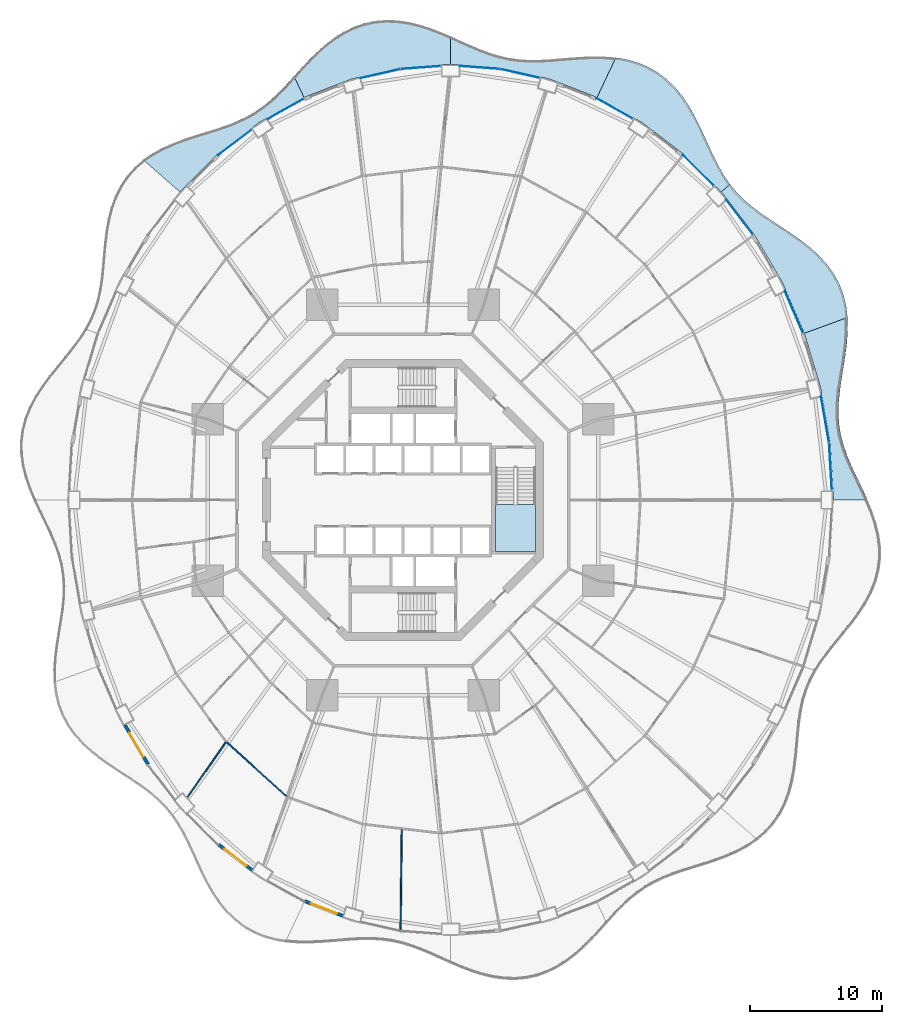
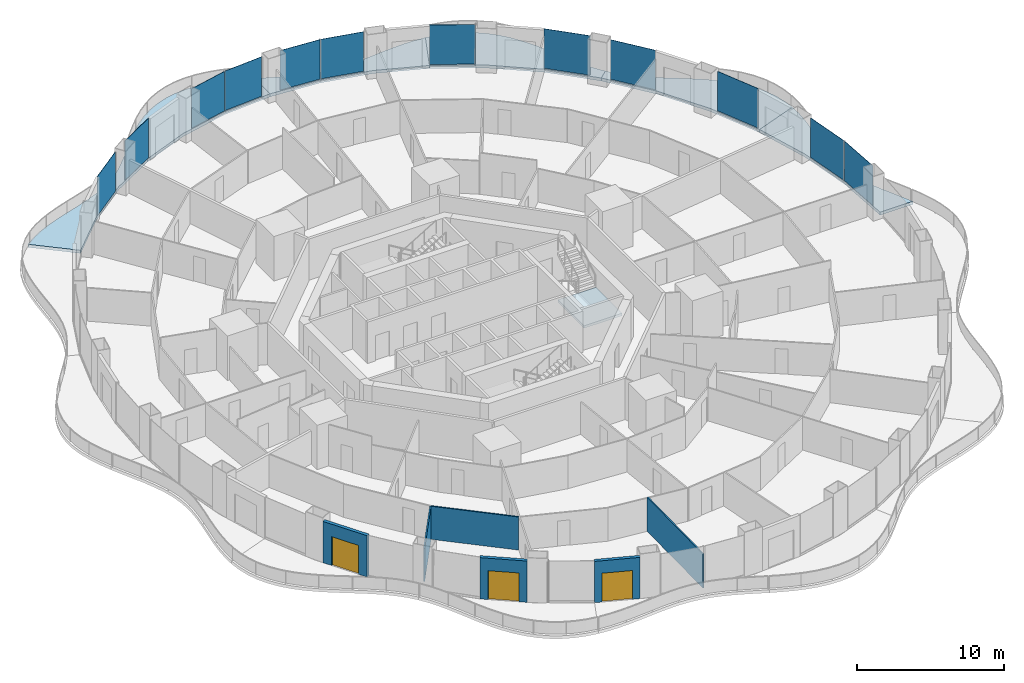
# One storey, part 12 of 21: 12 plates, 7 slabs, 6 walls, 3 doors, 3 openings, 13 elements without a shape of their own.
"""IFC4 building model written with IfcOpenShell, lengths in metres."""

from ifc_helpers import new_model, si_unit, direction, frame, frame_2d, origin, origin_2d, place, context, subcontext, project, spatial, polyline, rectangle, outline, extrude, material, layer, layer_set, type_object, element, fill, aggregate, save


model = new_model("IFC4")

# Units and contexts
model_context = context("Model", 3, precision=1e-05, world=origin(), true_north=direction((0.0, 1.0)))
body_context = subcontext(model_context, "Body", "Model", "MODEL_VIEW")
ifc_project = project(units=[si_unit("LENGTHUNIT", "METRE"), si_unit("AREAUNIT", "SQUARE_METRE"), si_unit("VOLUMEUNIT", "CUBIC_METRE"), si_unit("PLANEANGLEUNIT", "RADIAN"), si_unit("MASSUNIT", "GRAM", prefix="KILO")], contexts=[model_context])

# Site, building, storey
site_placement = place(None, origin())
site = spatial("IfcSite", under=ifc_project, at=site_placement, CompositionType="ELEMENT")
building_placement = place(site_placement, origin())
building = spatial("IfcBuilding", under=site, at=building_placement, Name="Nagisa Residences", CompositionType="ELEMENT")
storey_placement = place(building_placement, frame((0.0, 0.0, 60.300048828125)))
storey = spatial("IfcBuildingStorey", under=building, at=storey_placement, Name="L14", CompositionType="ELEMENT", Elevation=60.300048828125)

# Slabs
ifc_material_1 = material(Name="Concrete C40/50", Category="concrete")
ifc_layer_1 = layer(ifc_material_1, 0.25)
ifc_layer_set_1 = layer_set([ifc_layer_1], Name="BALCONY SLAB 250")
slab_type_1 = type_object("IfcSlabType", Name="BALCONY SLAB 250", PredefinedType="FLOOR", material=ifc_layer_set_1)
slab_1_placement = place(storey_placement, frame((0.0, 0.0, -0.25)))
element("IfcSlab", 1, at=slab_1_placement, inside=storey, type_object=slab_type_1, Name="slab:L14:bal00", PredefinedType="FLOOR", context=body_context, shape_type="SweptSolid", body=[
    extrude(outline(polyline([(35.1845703125, 0.0), (34.78759765625, 0.852294921875), (34.382568359375, 1.688232421875), (33.995849609375, 2.50927734375), (33.650390625, 3.319580078125), (33.365234375, 4.124755859375), (33.15380859375, 4.9306640625), (33.023193359375, 5.744384765625), (32.9736328125, 6.572021484375), (32.998291015625, 7.41845703125), (33.08447265625, 8.28662109375), (33.21337890625, 9.177734375), (33.362548828125, 10.08935546875), (33.507080078125, 11.017333984375), (33.62109375, 11.95458984375), (33.680419921875, 12.89208984375), (33.662841796875, 13.819091796875), (30.392578125, 12.628662109375), (31.61181640625, 8.541015625), (32.351806640625, 4.307373046875), (32.60009765625, 0.0), (35.1845703125, 0.0)])), origin(), (0.0, 0.0, 1.0), 0.25),
])
slab_2_placement = place(storey_placement, frame((0.0, 0.0, -0.25)))
element("IfcSlab", 2, at=slab_2_placement, inside=storey, type_object=slab_type_1, Name="slab:L14:bal01", PredefinedType="FLOOR", context=body_context, shape_type="SweptSolid", body=[
    extrude(outline(polyline([(33.662841796875, 13.819091796875), (33.556640625, 14.697021484375), (33.351318359375, 15.544677734375), (33.04150390625, 16.353515625), (32.627685546875, 17.11669921875), (32.1162109375, 17.829345703125), (31.518310546875, 18.490234375), (30.849609375, 19.10107421875), (30.12939453125, 19.666748046875), (29.3779296875, 20.19580078125), (28.616943359375, 20.698974609375), (27.866455078125, 21.189208984375), (27.144287109375, 21.679931640625), (26.465087890625, 22.185546875), (25.8388671875, 22.71875), (25.2705078125, 23.290771484375), (24.759765625, 23.9091796875), (24.106201171875, 23.33447265625), (26.607177734375, 20.089111328125), (28.71484375, 16.5), (30.392578125, 12.628662109375), (33.662841796875, 13.819091796875)])), origin(), (0.0, 0.0, 1.0), 0.25),
])
slab_3_placement = place(storey_placement, frame((0.0, 0.0, -0.25)))
element("IfcSlab", 3, at=slab_3_placement, inside=storey, type_object=slab_type_1, Name="slab:L14:bal02", PredefinedType="FLOOR", context=body_context, shape_type="SweptSolid", body=[
    extrude(outline(polyline([(24.759765625, 23.9091796875), (24.322509765625, 24.545654296875), (23.9248046875, 25.228271484375), (23.555419921875, 25.953369140625), (23.201171875, 26.71337890625), (22.84716796875, 27.4970703125), (22.478515625, 28.291259765625), (22.080810546875, 29.079833984375), (21.641845703125, 29.845703125), (21.151123046875, 30.571533203125), (20.602294921875, 31.240966796875), (19.9912109375, 31.83935546875), (19.318359375, 32.355224609375), (18.5869140625, 32.780517578125), (17.80322265625, 33.11181640625), (16.976806640625, 33.349853515625), (16.11767578125, 33.500244140625), (14.69775390625, 30.488037109375), (18.10009765625, 28.578857421875), (21.254150390625, 26.1806640625), (24.106201171875, 23.33447265625), (24.759765625, 23.9091796875)])), origin(), (0.0, 0.0, 1.0), 0.25),
])
slab_4_placement = place(storey_placement, frame((0.0, 0.0, -0.25)))
element("IfcSlab", 4, at=slab_4_placement, inside=storey, type_object=slab_type_1, Name="slab:L14:bal03", PredefinedType="FLOOR", context=body_context, shape_type="SweptSolid", body=[
    extrude(outline(polyline([(16.11767578125, 33.500244140625), (15.269775390625, 33.572021484375), (14.412841796875, 33.584228515625), (13.556640625, 33.55224609375), (12.709228515625, 33.49267578125), (11.87744140625, 33.423095703125), (11.065673828125, 33.361572265625), (10.275634765625, 33.32373046875), (9.50732421875, 33.32373046875), (8.758056640625, 33.37255859375), (8.02392578125, 33.47705078125), (7.298828125, 33.6396484375), (6.576904296875, 33.858642578125), (5.851318359375, 34.1279296875), (5.116455078125, 34.436767578125), (4.366943359375, 34.771484375), (3.60009765625, 35.115234375), (3.60009765625, 33.0), (7.38525390625, 32.7177734375), (11.105712890625, 31.87548828125), (14.69775390625, 30.488037109375), (16.11767578125, 33.500244140625)])), origin(), (0.0, 0.0, 1.0), 0.25),
])
slab_5_placement = place(storey_placement, frame((0.0, 0.0, -0.25)))
element("IfcSlab", 5, at=slab_5_placement, inside=storey, type_object=slab_type_1, Name="slab:L14:bal04", PredefinedType="FLOOR", context=body_context, shape_type="SweptSolid", body=[
    extrude(outline(polyline([(3.60009765625, 35.115234375), (2.81396484375, 35.44970703125), (2.00927734375, 35.755615234375), (1.189208984375, 36.014404296875), (0.35791015625, 36.20849609375), (-0.47802734375, 36.32373046875), (-1.311767578125, 36.3486328125), (-2.134765625, 36.275634765625), (-2.939697265625, 36.1025390625), (-3.719482421875, 35.83056640625), (-4.468017578125, 35.4658203125), (-5.181884765625, 35.018798828125), (-5.859130859375, 34.5029296875), (-6.50048828125, 33.933837890625), (-7.10888671875, 33.32958984375), (-7.6904296875, 32.70849609375), (-8.251953125, 32.087890625), (-7.497802734375, 30.488037109375), (-3.90576171875, 31.87548828125), (-0.185302734375, 32.7177734375), (3.60009765625, 33.0), (3.60009765625, 35.115234375)])), origin(), (0.0, 0.0, 1.0), 0.25),
])
slab_6_placement = place(storey_placement, frame((0.0, 0.0, -0.25)))
element("IfcSlab", 6, at=slab_6_placement, inside=storey, type_object=slab_type_1, Name="slab:L14:bal05", PredefinedType="FLOOR", context=body_context, shape_type="SweptSolid", body=[
    extrude(outline(polyline([(-8.251953125, 32.087890625), (-8.8232421875, 31.462158203125), (-9.393798828125, 30.870361328125), (-9.974609375, 30.323974609375), (-10.576171875, 29.83056640625), (-11.207275390625, 29.393798828125), (-11.874267578125, 29.011962890625), (-12.58056640625, 28.678955078125), (-13.325927734375, 28.3857421875), (-14.107421875, 28.11962890625), (-14.91748046875, 27.86572265625), (-15.746337890625, 27.608154296875), (-16.58056640625, 27.331298828125), (-17.40576171875, 27.020263671875), (-18.2060546875, 26.66162109375), (-18.966064453125, 26.24560546875), (-19.671142578125, 25.764404296875), (-16.906005859375, 23.33447265625), (-14.05419921875, 26.1806640625), (-10.89990234375, 28.578857421875), (-7.497802734375, 30.488037109375), (-8.251953125, 32.087890625)])), origin(), (0.0, 0.0, 1.0), 0.25),
])

# Curtain wall, plate
ifc_material_2 = material(Name="Concrete-coloured aluminium curtain wall system", Category="concrete")
ifc_layer_2 = layer(ifc_material_2, 0.159912109375)
ifc_layer_set_2 = layer_set([ifc_layer_2], Name="CW1 CURTAIN WALL")
curtain_wall_type = type_object("IfcCurtainWallType", Name="CW1 CURTAIN WALL", PredefinedType="NOTDEFINED", material=ifc_layer_set_2)
curtain_wall_1_placement = place(storey_placement, origin())
curtain_wall_1 = element("IfcCurtainWall", 7, at=curtain_wall_1_placement, inside=storey, type_object=curtain_wall_type, Name="cw:CW1:L14:00", PredefinedType="NOTDEFINED")
ifc_material_3 = material(Name="Clear laminated glass", Category="glass")
ifc_layer_3 = layer(ifc_material_3, 0.028076171875)
ifc_layer_set_3 = layer_set([ifc_layer_3], Name="CW1 GLASS PANEL")
plate_type = type_object("IfcPlateType", Name="CW1 GLASS PANEL", PredefinedType="CURTAIN_PANEL", material=ifc_layer_set_3)
plate_1_placement = place(storey_placement, frame((32.374267578125, 2.528564453125, 0.14990234375), z_axis=(0.0, 0.0, 1.0), x_axis=(-0.057503492216, 0.998345305184, 0.0)))
plate_1 = element("IfcPlate", 8, at=plate_1_placement, type_object=plate_type, Name="CW1 panel", PredefinedType="CURTAIN_PANEL", context=body_context, shape_type="SweptSolid", body=[
    extrude(rectangle(XDim=3.554443359375, YDim=0.028076171875, at=origin_2d()), origin(), (0.0, 0.0, 1.0), 3.2900390625),
])
aggregate(curtain_wall_1, [plate_1])

curtain_wall_2_placement = place(storey_placement, origin())
curtain_wall_2 = element("IfcCurtainWall", 9, at=curtain_wall_2_placement, inside=storey, type_object=curtain_wall_type, Name="cw:CW1:L14:01", PredefinedType="NOTDEFINED")
plate_2_placement = place(storey_placement, frame((31.958251953125, 6.09521484375, 0.14990234375), z_axis=(0.0, 0.0, 1.0), x_axis=(-0.172190868898, 0.985063604377, 0.0)))
plate_2 = element("IfcPlate", 10, at=plate_2_placement, type_object=plate_type, Name="CW1 panel", PredefinedType="CURTAIN_PANEL", context=body_context, shape_type="SweptSolid", body=[
    extrude(rectangle(XDim=3.537841796875, YDim=0.028076171875, at=origin_2d()), origin(), (0.0, 0.0, 1.0), 3.2900390625),
])
aggregate(curtain_wall_2, [plate_2])

curtain_wall_3_placement = place(storey_placement, origin())
curtain_wall_3 = element("IfcCurtainWall", 11, at=curtain_wall_3_placement, inside=storey, type_object=curtain_wall_type, Name="cw:CW1:L14:03", PredefinedType="NOTDEFINED")
plate_3_placement = place(storey_placement, frame((29.607421875, 14.23876953125, 0.14990234375), z_axis=(0.0, 0.0, 1.0), x_axis=(-0.397635934147, 0.917543276295, 0.0)))
plate_3 = element("IfcPlate", 12, at=plate_3_placement, type_object=plate_type, Name="CW1 panel", PredefinedType="CURTAIN_PANEL", context=body_context, shape_type="SweptSolid", body=[
    extrude(rectangle(XDim=3.45947265625, YDim=0.028076171875, at=origin_2d()), origin(), (0.0, 0.0, 1.0), 3.2900390625),
])
aggregate(curtain_wall_3, [plate_3])

curtain_wall_4_placement = place(storey_placement, origin())
curtain_wall_4 = element("IfcCurtainWall", 13, at=curtain_wall_4_placement, inside=storey, type_object=curtain_wall_type, Name="cw:CW1:L14:05", PredefinedType="NOTDEFINED")
plate_4_placement = place(storey_placement, frame((25.488525390625, 21.409423828125, 0.14990234375), z_axis=(0.0, 0.0, 1.0), x_axis=(-0.610429828235, 0.792070340816, 0.0)))
plate_4 = element("IfcPlate", 14, at=plate_4_placement, type_object=plate_type, Name="CW1 panel", PredefinedType="CURTAIN_PANEL", context=body_context, shape_type="SweptSolid", body=[
    extrude(rectangle(XDim=3.33740234375, YDim=0.028076171875, at=origin_2d()), origin(), (0.0, 0.0, 1.0), 3.2900390625),
])
aggregate(curtain_wall_4, [plate_4])

curtain_wall_5_placement = place(storey_placement, origin())
curtain_wall_5 = element("IfcCurtainWall", 15, at=curtain_wall_5_placement, inside=storey, type_object=curtain_wall_type, Name="cw:CW1:L14:06", PredefinedType="NOTDEFINED")
plate_5_placement = place(storey_placement, frame((22.3544921875, 24.969482421875, 0.14990234375), z_axis=(0.0, 0.0, 1.0), x_axis=(-0.707835924016, 0.706376885714, 0.0)))
plate_5 = element("IfcPlate", 16, at=plate_5_placement, type_object=plate_type, Name="CW1 panel", PredefinedType="CURTAIN_PANEL", context=body_context, shape_type="SweptSolid", body=[
    extrude(rectangle(XDim=3.269287109375, YDim=0.028076171875, at=origin_2d()), origin(), (0.0, 0.0, 1.0), 3.2900390625),
])
aggregate(curtain_wall_5, [plate_5])

curtain_wall_6_placement = place(storey_placement, origin())
curtain_wall_6 = element("IfcCurtainWall", 17, at=curtain_wall_6_placement, inside=storey, type_object=curtain_wall_type, Name="cw:CW1:L14:08", PredefinedType="NOTDEFINED")
plate_6_placement = place(storey_placement, frame((16.0283203125, 29.649658203125, 0.14990234375), z_axis=(0.0, 0.0, 1.0), x_axis=(-0.872072377523, 0.489376918501, 0.0)))
plate_6 = element("IfcPlate", 18, at=plate_6_placement, type_object=plate_type, Name="CW1 panel", PredefinedType="CURTAIN_PANEL", context=body_context, shape_type="SweptSolid", body=[
    extrude(rectangle(XDim=3.141357421875, YDim=0.028076171875, at=origin_2d()), origin(), (0.0, 0.0, 1.0), 3.2900390625),
])
aggregate(curtain_wall_6, [plate_6])

curtain_wall_7_placement = place(storey_placement, origin())
curtain_wall_7 = element("IfcCurtainWall", 19, at=curtain_wall_7_placement, inside=storey, type_object=curtain_wall_type, Name="cw:CW1:L14:10", PredefinedType="NOTDEFINED")
plate_7_placement = place(storey_placement, frame((8.857177734375, 32.302490234375, 0.14990234375), z_axis=(0.0, 0.0, 1.0), x_axis=(-0.975327274089, 0.2207639201, 0.0)))
plate_7 = element("IfcPlate", 20, at=plate_7_placement, type_object=plate_type, Name="CW1 panel", PredefinedType="CURTAIN_PANEL", context=body_context, shape_type="SweptSolid", body=[
    extrude(rectangle(XDim=3.0546875, YDim=0.028076171875, at=origin_2d()), origin(), (0.0, 0.0, 1.0), 3.2900390625),
])
aggregate(curtain_wall_7, [plate_7])

curtain_wall_8_placement = place(storey_placement, origin())
curtain_wall_8 = element("IfcCurtainWall", 21, at=curtain_wall_8_placement, inside=storey, type_object=curtain_wall_type, Name="cw:CW1:L14:11", PredefinedType="NOTDEFINED")
plate_8_placement = place(storey_placement, frame((5.805908203125, 32.75537109375, 0.14990234375), z_axis=(0.0, 0.0, 1.0), x_axis=(-0.997230168512, 0.074377355493, 0.0)))
plate_8 = element("IfcPlate", 22, at=plate_8_placement, type_object=plate_type, Name="CW1 panel", PredefinedType="CURTAIN_PANEL", context=body_context, shape_type="SweptSolid", body=[
    extrude(rectangle(XDim=3.035888671875, YDim=0.028076171875, at=origin_2d()), origin(), (0.0, 0.0, 1.0), 3.2900390625),
])
aggregate(curtain_wall_8, [plate_8])

curtain_wall_9_placement = place(storey_placement, origin())
curtain_wall_9 = element("IfcCurtainWall", 23, at=curtain_wall_9_placement, inside=storey, type_object=curtain_wall_type, Name="cw:CW1:L14:12", PredefinedType="NOTDEFINED")
plate_9_placement = place(storey_placement, frame((1.33447265625, 32.750732421875, 0.14990234375), z_axis=(0.0, 0.0, 1.0), x_axis=(-0.997230168512, -0.074377355493, 0.0)))
plate_9 = element("IfcPlate", 24, at=plate_9_placement, type_object=plate_type, Name="CW1 panel", PredefinedType="CURTAIN_PANEL", context=body_context, shape_type="SweptSolid", body=[
    extrude(rectangle(XDim=3.035888671875, YDim=0.028076171875, at=origin_2d()), origin(), (0.0, 0.0, 1.0), 3.2900390625),
])
aggregate(curtain_wall_9, [plate_9])

curtain_wall_10_placement = place(storey_placement, origin())
curtain_wall_10 = element("IfcCurtainWall", 25, at=curtain_wall_10_placement, inside=storey, type_object=curtain_wall_type, Name="cw:CW1:L14:13", PredefinedType="NOTDEFINED")
plate_10_placement = place(storey_placement, frame((-1.7158203125, 32.289306640625, 0.14990234375), z_axis=(0.0, 0.0, 1.0), x_axis=(-0.975327274089, -0.2207639201, 0.0)))
plate_10 = element("IfcPlate", 26, at=plate_10_placement, type_object=plate_type, Name="CW1 panel", PredefinedType="CURTAIN_PANEL", context=body_context, shape_type="SweptSolid", body=[
    extrude(rectangle(XDim=3.0546875, YDim=0.028076171875, at=origin_2d()), origin(), (0.0, 0.0, 1.0), 3.2900390625),
])
aggregate(curtain_wall_10, [plate_10])

curtain_wall_11_placement = place(storey_placement, origin())
curtain_wall_11 = element("IfcCurtainWall", 27, at=curtain_wall_11_placement, inside=storey, type_object=curtain_wall_type, Name="cw:CW1:L14:15", PredefinedType="NOTDEFINED")
plate_11_placement = place(storey_placement, frame((-8.880615234375, 29.620361328125, 0.14990234375), z_axis=(0.0, 0.0, 1.0), x_axis=(-0.872072377523, -0.489376918501, 0.0)))
plate_11 = element("IfcPlate", 28, at=plate_11_placement, type_object=plate_type, Name="CW1 panel", PredefinedType="CURTAIN_PANEL", context=body_context, shape_type="SweptSolid", body=[
    extrude(rectangle(XDim=3.141357421875, YDim=0.028076171875, at=origin_2d()), origin(), (0.0, 0.0, 1.0), 3.2900390625),
])
aggregate(curtain_wall_11, [plate_11])

curtain_wall_12_placement = place(storey_placement, origin())
curtain_wall_12 = element("IfcCurtainWall", 29, at=curtain_wall_12_placement, inside=storey, type_object=curtain_wall_type, Name="cw:CW1:L14:16", PredefinedType="NOTDEFINED")
plate_12_placement = place(storey_placement, frame((-12.731201171875, 27.086181640625, 0.14990234375), z_axis=(0.0, 0.0, 1.0), x_axis=(-0.79603132756, -0.605255421737, 0.0)))
plate_12 = element("IfcPlate", 30, at=plate_12_placement, type_object=plate_type, Name="CW1 panel", PredefinedType="CURTAIN_PANEL", context=body_context, shape_type="SweptSolid", body=[
    extrude(rectangle(XDim=3.2021484375, YDim=0.028076171875, at=origin_2d()), origin(), (0.0, 0.0, 1.0), 3.2900390625),
])
aggregate(curtain_wall_12, [plate_12])

# Stair, slab
ifc_material_4 = material(Name="Concrete C60", Category="concrete")
stair_type = type_object("IfcStairType", Name="Exit stair", PredefinedType="HALF_TURN_STAIR", material=ifc_material_4)
stair_placement = place(storey_placement, origin())
stair = element("IfcStair", 31, at=stair_placement, inside=storey, type_object=stair_type, Name="L14 Exit stair E", PredefinedType="HALF_TURN_STAIR")
ifc_material_5 = material(Name="Concrete C60", Category="concrete")
ifc_layer_4 = layer(ifc_material_5, 0.199951171875)
ifc_layer_set_4 = layer_set([ifc_layer_4], Name="Stair landing")
slab_type_2 = type_object("IfcSlabType", Name="Stair landing", PredefinedType="LANDING", material=ifc_layer_set_4)
slab_7_placement = place(storey_placement, frame((0.0, 0.0, 1.64990234375)))
slab_7 = element("IfcSlab", 32, at=slab_7_placement, type_object=slab_type_2, Name="ST-E landing 1", PredefinedType="LANDING", context=body_context, shape_type="SweptSolid", body=[
    extrude(outline(polyline([(7.024658203125, -0.324951171875), (7.024658203125, -3.89990234375), (10.024658203125, -3.89990234375), (10.024658203125, -0.324951171875), (7.024658203125, -0.324951171875)])), origin(), (0.0, 0.0, 1.0), 0.199951171875),
])
aggregate(stair, [slab_7])

# Walls
ifc_material_6 = material(Name="Gypsum board on steel studs", Category="steel")
ifc_layer_5 = layer(ifc_material_6, 0.10009765625)
ifc_layer_set_5 = layer_set([ifc_layer_5], Name="Apartment partition 100")
wall_type_1 = type_object("IfcWallType", Name="Apartment partition 100", PredefinedType="PARTITIONING", material=ifc_layer_set_5)
wall_1_placement = place(storey_placement, frame((-13.42041015625, -18.3505859375, 0.0), z_axis=(0.0, 0.0, 1.0), x_axis=(-0.573127875153, -0.819465947262, 0.0)))
element("IfcWall", 33, at=wall_1_placement, inside=storey, type_object=wall_type_1, Name="wall:L14:u65", PredefinedType="PARTITIONING", context=body_context, shape_type="SweptSolid", body=[
    extrude(rectangle(XDim=5.046630859375, YDim=0.10009765625, at=frame_2d((2.5234375, 0.0))), origin(), (0.0, 0.0, 1.0), 2.755859375),
])
wall_2_placement = place(storey_placement, frame((-13.354736328125, -18.34326171875, 0.0), z_axis=(0.0, 0.0, 1.0), x_axis=(0.741722263338, -0.670707152242, 0.0)))
element("IfcWall", 34, at=wall_2_placement, inside=storey, type_object=wall_type_1, Name="wall:L14:u66", PredefinedType="PARTITIONING", context=body_context, shape_type="SweptSolid", body=[
    extrude(rectangle(XDim=6.109130859375, YDim=0.10009765625, at=frame_2d((3.0546875, 0.0))), origin(), (0.0, 0.0, 1.0), 2.755859375),
])
wall_3_placement = place(storey_placement, frame((-0.095458984375, -24.93603515625, 0.0), z_axis=(0.0, 0.0, 1.0), x_axis=(-0.011541331541, -0.999933396615, 0.0)))
element("IfcWall", 35, at=wall_3_placement, inside=storey, type_object=wall_type_1, Name="wall:L14:u73", PredefinedType="PARTITIONING", context=body_context, shape_type="SweptSolid", body=[
    extrude(rectangle(XDim=7.7421875, YDim=0.10009765625, at=frame_2d((3.87109375, 0.0))), origin(), (0.0, 0.0, 1.0), 2.8369140625),
])

# Wall, opening, door
ifc_material_7 = material(Name="Precast concrete C40/50", Category="concrete")
ifc_layer_6 = layer(ifc_material_7, 0.25)
ifc_layer_set_6 = layer_set([ifc_layer_6], Name="BALCONY DOOR WALL 250")
wall_type_2 = type_object("IfcWallType", Name="BALCONY DOOR WALL 250", PredefinedType="SOLIDWALL", material=ifc_layer_set_6)
wall_4_placement = place(storey_placement, frame((-19.299560546875, -20.02587890625, 0.0), z_axis=(0.0, 0.0, 1.0), x_axis=(-0.506311160839, 0.862350861546, 0.0)))
wall_4 = element("IfcWall", 36, at=wall_4_placement, inside=storey, type_object=wall_type_2, Name="wall:L14:bay28", PredefinedType="SOLIDWALL", context=body_context, shape_type="SweptSolid", body=[
    extrude(rectangle(XDim=3.462158203125, YDim=0.25, at=frame_2d((1.73095703125, 0.0))), origin(), (0.0, 0.0, 1.0), 3.43994140625),
])
opening_1_placement = place(wall_4_placement, frame((0.68115234375, 0.0, 0.0)))
opening_1 = element("IfcOpeningElement", 37, at=opening_1_placement, cuts=wall_4, Name="Opening BD-L14-10", PredefinedType="OPENING", context=body_context, shape_type="SweptSolid", body=[
    extrude(rectangle(XDim=2.10009765625, YDim=2.39990234375, at=frame_2d((1.050048828125, 1.199951171875))), frame((0.0, 0.135009765625, 0.0), z_axis=(0.0, -1.0, 0.0), x_axis=(1.0, 0.0, 0.0)), (0.0, 0.0, 1.0), 0.27001953125),
])
ifc_material_8 = material(Name="Aluminium and clear glass", Category="aluminium")
door_type = type_object("IfcDoorType", Name="BALCONY SLIDING DOOR 2100x2400", OperationType="SLIDING_TO_LEFT", PredefinedType="DOOR", material=ifc_material_8)
door_1_placement = place(opening_1_placement, origin())
door_1 = element("IfcDoor", 38, at=door_1_placement, inside=storey, type_object=door_type, Name="door:L14:bay28", OperationType="SLIDING_TO_LEFT", OverallHeight=2.39990234375, OverallWidth=2.10009765625, PredefinedType="DOOR", context=body_context, shape_type="SweptSolid", body=[
    extrude(rectangle(XDim=2.10009765625, YDim=2.39990234375, at=frame_2d((1.050048828125, 1.199951171875))), frame((0.0, 0.02490234375, 0.0), z_axis=(0.0, -1.0, 0.0), x_axis=(1.0, 0.0, 0.0)), (0.0, 0.0, 1.0), 0.050048828125),
])
fill(opening_1, door_1)

wall_5_placement = place(storey_placement, frame((-11.381591796875, -28.0556640625, 0.0), z_axis=(0.0, 0.0, 1.0), x_axis=(-0.796022293214, 0.605267303517, 0.0)))
wall_5 = element("IfcWall", 39, at=wall_5_placement, inside=storey, type_object=wall_type_2, Name="wall:L14:bay31", PredefinedType="SOLIDWALL", context=body_context, shape_type="SweptSolid", body=[
    extrude(rectangle(XDim=3.262451171875, YDim=0.25, at=frame_2d((1.63134765625, 0.0))), origin(), (0.0, 0.0, 1.0), 3.43994140625),
])
opening_2_placement = place(wall_5_placement, frame((0.5810546875, 0.0, 0.0)))
opening_2 = element("IfcOpeningElement", 40, at=opening_2_placement, cuts=wall_5, Name="Opening BD-L14-11", PredefinedType="OPENING", context=body_context, shape_type="SweptSolid", body=[
    extrude(rectangle(XDim=2.10009765625, YDim=2.39990234375, at=frame_2d((1.050048828125, 1.199951171875))), frame((0.0, 0.135009765625, 0.0), z_axis=(0.0, -1.0, 0.0), x_axis=(1.0, 0.0, 0.0)), (0.0, 0.0, 1.0), 0.27001953125),
])
door_2_placement = place(opening_2_placement, origin())
door_2 = element("IfcDoor", 41, at=door_2_placement, inside=storey, type_object=door_type, Name="door:L14:bay31", OperationType="SLIDING_TO_LEFT", OverallHeight=2.39990234375, OverallWidth=2.10009765625, PredefinedType="DOOR", context=body_context, shape_type="SweptSolid", body=[
    extrude(rectangle(XDim=2.10009765625, YDim=2.39990234375, at=frame_2d((1.050048828125, 1.199951171875))), frame((0.0, 0.02490234375, 0.0), z_axis=(0.0, -1.0, 0.0), x_axis=(1.0, 0.0, 0.0)), (0.0, 0.0, 1.0), 0.050048828125),
])
fill(opening_2, door_2)

wall_6_placement = place(storey_placement, frame((-4.513671875, -31.5068359375, 0.0), z_axis=(0.0, 0.0, 1.0), x_axis=(-0.932809381943, 0.360370166577, 0.0)))
wall_6 = element("IfcWall", 42, at=wall_6_placement, inside=storey, type_object=wall_type_2, Name="wall:L14:bay33", PredefinedType="SOLIDWALL", context=body_context, shape_type="SweptSolid", body=[
    extrude(rectangle(XDim=3.15087890625, YDim=0.25, at=frame_2d((1.575439453125, 0.0))), origin(), (0.0, 0.0, 1.0), 3.43994140625),
])
opening_3_placement = place(wall_6_placement, frame((0.525390625, 0.0, 0.0)))
opening_3 = element("IfcOpeningElement", 43, at=opening_3_placement, cuts=wall_6, Name="Opening BD-L14-12", PredefinedType="OPENING", context=body_context, shape_type="SweptSolid", body=[
    extrude(rectangle(XDim=2.10009765625, YDim=2.39990234375, at=frame_2d((1.050048828125, 1.199951171875))), frame((0.0, 0.135009765625, 0.0), z_axis=(0.0, -1.0, 0.0), x_axis=(1.0, 0.0, 0.0)), (0.0, 0.0, 1.0), 0.27001953125),
])
door_3_placement = place(opening_3_placement, origin())
door_3 = element("IfcDoor", 44, at=door_3_placement, inside=storey, type_object=door_type, Name="door:L14:bay33", OperationType="SLIDING_TO_LEFT", OverallHeight=2.39990234375, OverallWidth=2.10009765625, PredefinedType="DOOR", context=body_context, shape_type="SweptSolid", body=[
    extrude(rectangle(XDim=2.10009765625, YDim=2.39990234375, at=frame_2d((1.050048828125, 1.199951171875))), frame((0.0, 0.02490234375, 0.0), z_axis=(0.0, -1.0, 0.0), x_axis=(1.0, 0.0, 0.0)), (0.0, 0.0, 1.0), 0.050048828125),
])
fill(opening_3, door_3)

save(model, "model.ifc")
